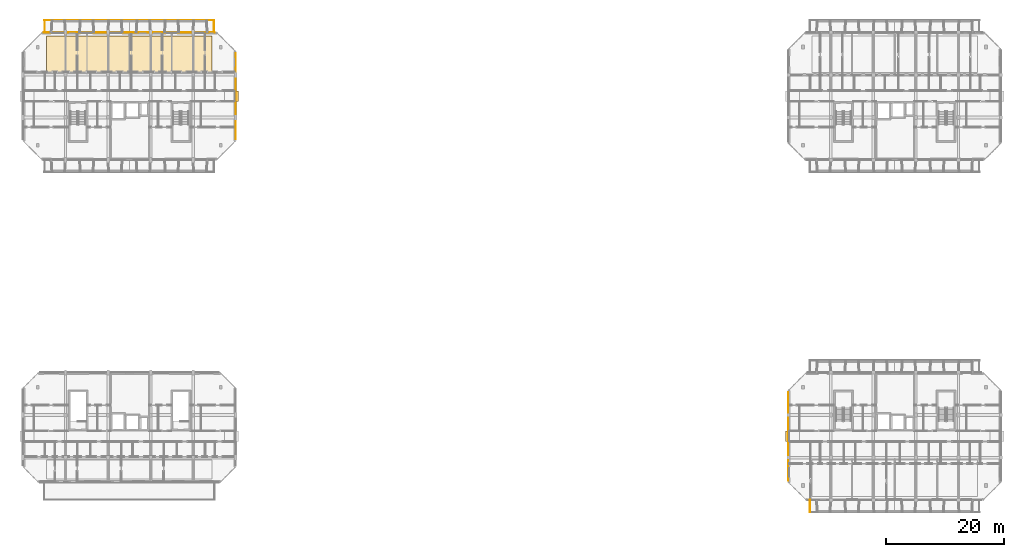
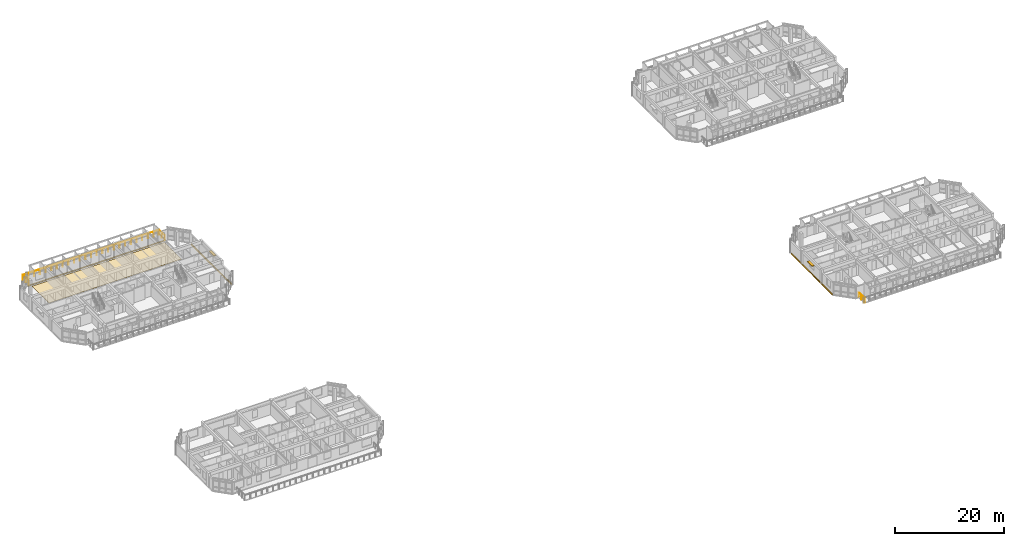
# One storey, part 35 of 40: 4 coverings, 4 railings, 2 shading devices.
"""IFC4 building model written with IfcOpenShell, lengths in metres."""

import ifcopenshell
import ifcopenshell.guid

model = None  # the IFC model being written
_history = None  # IfcOwnerHistory: only IFC2X3 demands one
_inside = {}  # id of a spatial element -> (the spatial element, [elements in it])
_under = {}  # id of a project, library or spatial element -> (it, [spatial elements below it])
_declared = {}  # id of a project -> (the project, [libraries it declares])
_typed = {}  # id of a type object -> (the type object, [elements of that type])
_made_of = {}  # id of a material, layer set ... -> (it, [elements and type objects made of it])


def new_model(schema):
    """Start an empty IFC model of exactly this schema.

    Asked for "IFC4X3", IfcOpenShell would pick the latest addendum, in which some entities
    have other attributes; the version numbers below select the first issue.
    IFC2X3 requires an IfcOwnerHistory on every rooted entity: one is made here for all.
    """
    global model, _history
    if schema == "IFC4X3":
        model = ifcopenshell.file(schema_version=(4, 3, 0, 0))
    else:
        model = ifcopenshell.file(schema=schema)
    _inside.clear()
    _under.clear()
    _declared.clear()
    _typed.clear()
    _made_of.clear()
    _history = None
    if model.schema == "IFC2X3":
        org = make("IfcOrganization", Name="unknown")
        user = make(
            "IfcPersonAndOrganization",
            ThePerson=make("IfcPerson", FamilyName="unknown"),
            TheOrganization=org,
        )
        app = make(
            "IfcApplication",
            ApplicationDeveloper=org,
            Version="unknown",
            ApplicationFullName="unknown",
            ApplicationIdentifier="unknown",
        )
        _history = make(
            "IfcOwnerHistory",
            OwningUser=user,
            OwningApplication=app,
            ChangeAction="ADDED",
            CreationDate=0,
        )
    return model


def make(cls, **values):
    """One entity of the class cls with the attributes given. An attribute that is None is left unset."""
    return model.create_entity(
        cls, **{name: value for name, value in values.items() if value is not None}
    )


def rooted(cls, **values):
    """An entity with a GlobalId (a new one), such as an element, a storey or a relation."""
    return make(cls, GlobalId=ifcopenshell.guid.new(), OwnerHistory=_history, **values)


def si_unit(unit_type, name, prefix=None):
    """IfcSIUnit, for example si_unit("LENGTHUNIT", "METRE", prefix="MILLI")."""
    return make("IfcSIUnit", UnitType=unit_type, Prefix=prefix, Name=name)


def assignment(units):
    """IfcUnitAssignment: the units of a project."""
    return None if units is None else make("IfcUnitAssignment", Units=units)


def point(xyz):
    """IfcCartesianPoint."""
    return None if xyz is None else make("IfcCartesianPoint", Coordinates=xyz)


def direction(xyz):
    """IfcDirection."""
    return None if xyz is None else make("IfcDirection", DirectionRatios=xyz)


def frame(location, z_axis=None, x_axis=None):
    """IfcAxis2Placement3D, a coordinate frame: its origin and axes. An axis left out is left unset."""
    return make(
        "IfcAxis2Placement3D",
        Location=point(location),
        Axis=direction(z_axis),
        RefDirection=direction(x_axis),
    )


def frame_2d(location, x_axis=None):
    """IfcAxis2Placement2D, a coordinate frame in the plane: its origin and x axis."""
    return make(
        "IfcAxis2Placement2D", Location=point(location), RefDirection=direction(x_axis)
    )


def origin():
    """The frame at (0, 0, 0) with its axes left unset."""
    return frame((0.0, 0.0, 0.0))


def origin_2d():
    """The frame at (0, 0) in the plane with its x axis left unset."""
    return frame_2d((0.0, 0.0))


def place(relative_to, where):
    """IfcLocalPlacement: puts the frame where relative to a parent placement (None: the world)."""
    return make(
        "IfcLocalPlacement", PlacementRelTo=relative_to, RelativePlacement=where
    )


def context(
    kind, dimensions, precision=None, world=None, true_north=None, identifier=None
):
    """IfcGeometricRepresentationContext, for example the 3D "Model" context."""
    return make(
        "IfcGeometricRepresentationContext",
        ContextIdentifier=identifier,
        ContextType=kind,
        CoordinateSpaceDimension=dimensions,
        Precision=precision,
        WorldCoordinateSystem=world,
        TrueNorth=true_north,
    )


def subcontext(parent, identifier, kind, view, scale=None):
    """IfcGeometricRepresentationSubContext, for example "Body" below "Model"."""
    return make(
        "IfcGeometricRepresentationSubContext",
        ContextIdentifier=identifier,
        ContextType=kind,
        ParentContext=parent,
        TargetScale=scale,
        TargetView=view,
    )


def project(units=None, contexts=None):
    """IfcProject with its units and contexts."""
    return rooted(
        "IfcProject",
        Name="project",
        RepresentationContexts=contexts,
        UnitsInContext=assignment(units),
    )


def spatial(cls, under=None, at=None, **own):
    """A site, building, storey or space (cls), placed at a placement, below another one or the project."""
    s = rooted(cls, ObjectPlacement=at, **own)
    if under is not None:
        _under.setdefault(under.id(), (under, []))[1].append(s)
    return s


def polyline(points):
    """IfcPolyline through the points."""
    return make("IfcPolyline", Points=[point(p) for p in points])


def profile(cls, at=None, kind="AREA", **sizes):
    """A parametric profile (cls). Its sizes go by their IFC names, for example OverallWidth=200.0."""
    return make(cls, ProfileType=kind, Position=at, **sizes)


def rectangle(**sizes):
    """IfcRectangleProfileDef."""
    return profile("IfcRectangleProfileDef", **sizes)


def circle(**sizes):
    """IfcCircleProfileDef."""
    return profile("IfcCircleProfileDef", **sizes)


def outline(outer, holes=None, kind="AREA"):
    """IfcArbitraryClosedProfileDef: a profile drawn as a closed curve; with holes, ...WithVoids."""
    if holes is None:
        return make("IfcArbitraryClosedProfileDef", ProfileType=kind, OuterCurve=outer)
    return make(
        "IfcArbitraryProfileDefWithVoids",
        ProfileType=kind,
        OuterCurve=outer,
        InnerCurves=holes,
    )


def extrude(swept, where, along, depth):
    """IfcExtrudedAreaSolid: the profile swept, set in the frame where, extruded along a direction by depth."""
    return make(
        "IfcExtrudedAreaSolid",
        SweptArea=swept,
        Position=where,
        ExtrudedDirection=direction(along),
        Depth=depth,
    )


def shape(context_of_items, identifier, shape_type, items):
    """IfcShapeRepresentation: the items that make up one representation, for example the "Body"."""
    return make(
        "IfcShapeRepresentation",
        ContextOfItems=context_of_items,
        RepresentationIdentifier=identifier,
        RepresentationType=shape_type,
        Items=items,
    )


def material(Name=None, Category=None):
    """IfcMaterial."""
    return make("IfcMaterial", Name=Name, Category=Category)


def layer(
    of_material, thickness, ventilated=None, Name=None, Category=None, Priority=None
):
    """IfcMaterialLayer: one layer of a wall or slab, of a material (None: an air gap)."""
    return make(
        "IfcMaterialLayer",
        Material=of_material,
        LayerThickness=thickness,
        IsVentilated=ventilated,
        Name=Name,
        Category=Category,
        Priority=Priority,
    )


def layer_set(layers, Name=None):
    """IfcMaterialLayerSet."""
    return make("IfcMaterialLayerSet", MaterialLayers=layers, LayerSetName=Name)


def made_of(thing, what):
    """Note that an element or type object is made of a material, layer set ...; save() writes the relation."""
    if what is not None:
        _made_of.setdefault(what.id(), (what, []))[1].append(thing)
    return thing


def type_object(cls, material=None, **own):
    """A type object (cls), such as IfcWallType, which elements share."""
    return made_of(rooted(cls, **own), material)


def element(
    cls,
    number,
    at=None,
    inside=None,
    cuts=None,
    type_object=None,
    material=None,
    context=None,
    identifier="Body",
    shape_type=None,
    held_by="IfcProductDefinitionShape",
    body=None,
    shapes=None,
    **own,
):
    """One element of the class cls, such as IfcWall. Its Tag is "e" and its number.

    at: its placement. inside: the storey or other place that contains it. cuts: it is an
    opening in that element (IfcRelVoidsElement). A single representation is given by context,
    identifier, shape_type and body (its items); several are given by shapes. held_by: the class
    of the entity that holds the representations. save() writes the other relations.
    """
    e = rooted(cls, Tag="e%d" % number, ObjectPlacement=at, **own)
    if body is not None:
        shapes = [shape(context, identifier, shape_type, body)]
    if shapes is not None:
        e.Representation = make(held_by, Representations=shapes)
    if inside is not None:
        _inside.setdefault(inside.id(), (inside, []))[1].append(e)
    if cuts is not None:
        rooted(
            "IfcRelVoidsElement", RelatingBuildingElement=cuts, RelatedOpeningElement=e
        )
    if type_object is not None:
        _typed.setdefault(type_object.id(), (type_object, []))[1].append(e)
    return made_of(e, material)


def aggregate(whole, parts):
    """IfcRelAggregates: a whole, such as a stair, and the parts it consists of."""
    return rooted("IfcRelAggregates", RelatingObject=whole, RelatedObjects=parts)


def save(model, path):
    """Write the relations noted so far, then the file.

    IfcRelAggregates (storeys below a building ...), IfcRelContainedInSpatialStructure (elements
    in a storey), IfcRelDefinesByType, IfcRelAssociatesMaterial and IfcRelDeclares: one each for
    every whole, place, type object, material and project.
    """
    for whole, parts in _under.values():
        aggregate(whole, parts)
    for where, things in _inside.values():
        rooted(
            "IfcRelContainedInSpatialStructure",
            RelatedElements=things,
            RelatingStructure=where,
        )
    for kind, things in _typed.values():
        rooted("IfcRelDefinesByType", RelatedObjects=things, RelatingType=kind)
    for what, things in _made_of.values():
        rooted("IfcRelAssociatesMaterial", RelatedObjects=things, RelatingMaterial=what)
    for by, libraries in _declared.values():
        rooted("IfcRelDeclares", RelatingContext=by, RelatedDefinitions=libraries)
    model.write(path)


model = new_model("IFC4")

# Units and contexts
model_context = context("Model", 3, precision=1e-05, world=origin(), true_north=direction((0.0, 1.0)))
body_context = subcontext(model_context, "Body", "Model", "MODEL_VIEW")
ifc_project = project(units=[si_unit("LENGTHUNIT", "METRE"), si_unit("AREAUNIT", "SQUARE_METRE"), si_unit("VOLUMEUNIT", "CUBIC_METRE"), si_unit("PLANEANGLEUNIT", "RADIAN"), si_unit("MASSUNIT", "GRAM", prefix="KILO")], contexts=[model_context])

# Site, building, storey
site_placement = place(None, origin())
site = spatial("IfcSite", under=ifc_project, at=site_placement, CompositionType="ELEMENT")
building_placement = place(site_placement, origin())
building = spatial("IfcBuilding", under=site, at=building_placement, Name="Ochrevale Crest", CompositionType="ELEMENT")
storey_placement = place(building_placement, frame((0.0, 0.0, 27.60009765625)))
storey = spatial("IfcBuildingStorey", under=building, at=storey_placement, Name="L08", CompositionType="ELEMENT", Elevation=27.60009765625)

# Coverings
ifc_material_1 = material(Name="Glazed terracotta rainscreen tile", Category="masonry")
ifc_layer_1 = layer(ifc_material_1, 0.048095703125)
ifc_layer_set_1 = layer_set([ifc_layer_1], Name="Glazed terracotta rainscreen tile")
covering_type_1 = type_object("IfcCoveringType", Name="COV-CLAD-TER", PredefinedType="CLADDING", material=ifc_layer_set_1)
covering_1_placement = place(storey_placement, frame((36.014404296875, 82.800048828125, -0.26025390625), z_axis=(0.0, 0.0, 1.0), x_axis=(0.0, 1.0, 0.0)))
element("IfcCovering", 1, at=covering_1_placement, inside=storey, type_object=covering_type_1, Name="Block B L08 terracotta slab-edge spandrel cladding", PredefinedType="CLADDING", context=body_context, shape_type="SweptSolid", body=[
    extrude(rectangle(XDim=14.60009765625, YDim=0.06005859375, at=origin_2d()), origin(), (0.0, 0.0, 1.0), 0.280029296875),
])
covering_2_placement = place(storey_placement, frame((18.0, 93.612548828125, -0.26025390625), z_axis=(0.0, 0.0, 1.0), x_axis=(-1.0, 0.0, 0.0)))
element("IfcCovering", 2, at=covering_2_placement, inside=storey, type_object=covering_type_1, Name="Block B L08 terracotta slab-edge spandrel cladding", PredefinedType="CLADDING", context=body_context, shape_type="SweptSolid", body=[
    extrude(rectangle(XDim=29.0, YDim=0.06005859375, at=origin_2d()), origin(), (0.0, 0.0, 1.0), 0.280029296875),
])
covering_3_placement = place(storey_placement, frame((129.58544921875, 25.199951171875, -0.26025390625), z_axis=(0.0, 0.0, 1.0), x_axis=(0.0, -1.0, 0.0)))
element("IfcCovering", 3, at=covering_3_placement, inside=storey, type_object=covering_type_1, Name="Block C L08 terracotta slab-edge spandrel cladding", PredefinedType="CLADDING", context=body_context, shape_type="SweptSolid", body=[
    extrude(rectangle(XDim=15.0, YDim=0.06005859375, at=origin_2d()), origin(), (0.0, 0.0, 1.0), 0.280029296875),
])
ifc_material_2 = material(Name="Engineered spotted-gum hardwood flooring", Category="wood")
ifc_layer_2 = layer(ifc_material_2, 0.02001953125)
ifc_layer_set_2 = layer_set([ifc_layer_2], Name="Engineered spotted-gum hardwood flooring")
covering_type_2 = type_object("IfcCoveringType", Name="COV-FLR-TIM", PredefinedType="FLOORING", material=ifc_layer_set_2)
covering_4_placement = place(storey_placement, origin())
element("IfcCovering", 4, at=covering_4_placement, inside=storey, type_object=covering_type_2, Name="Block B L08 spotted-gum apartment flooring", PredefinedType="FLOORING", context=body_context, shape_type="SweptSolid", body=[
    extrude(outline(polyline([(4.0, 86.800048828125), (32.0, 86.800048828125), (32.0, 93.0), (4.0, 93.0), (4.0, 86.800048828125)])), origin(), (0.0, 0.0, 1.0), 0.02001953125),
])

# Railings
ifc_material_3 = material(Name="Galvanised steel", Category="steel")
railing_type = type_object("IfcRailingType", Name="RL-BAL-1100", PredefinedType="BALUSTRADE", material=ifc_material_3)
railing_1_placement = place(storey_placement, frame((3.60009765625, 95.639892578125, 0.0)))
element("IfcRailing", 5, at=railing_1_placement, inside=storey, type_object=railing_type, Name="Block B L08 N balcony front balustrade", PredefinedType="BALUSTRADE", context=body_context, shape_type="SweptSolid", body=[
    extrude(circle(Radius=0.02392578125, at=origin_2d()), frame((0.0, 0.0, 1.0859375), z_axis=(1.0, 0.0, 0.0), x_axis=(0.0, 1.0, 0.0)), (0.0, 0.0, 1.0), 28.7998046875),
    extrude(circle(Radius=0.02099609375, at=origin_2d()), origin(), (0.0, 0.0, 1.0), 1.06201171875),
    extrude(circle(Radius=0.02099609375, at=origin_2d()), frame((1.199951171875, 0.0, 0.0)), (0.0, 0.0, 1.0), 1.06201171875),
    extrude(circle(Radius=0.02099609375, at=origin_2d()), frame((2.39990234375, 0.0, 0.0)), (0.0, 0.0, 1.0), 1.06201171875),
    extrude(circle(Radius=0.02099609375, at=origin_2d()), frame((3.60009765625, 0.0, 0.0)), (0.0, 0.0, 1.0), 1.06201171875),
    extrude(circle(Radius=0.02099609375, at=origin_2d()), frame((4.800048828125, 0.0, 0.0)), (0.0, 0.0, 1.0), 1.06201171875),
    extrude(circle(Radius=0.02099609375, at=origin_2d()), frame((6.0, 0.0, 0.0)), (0.0, 0.0, 1.0), 1.06201171875),
    extrude(circle(Radius=0.02099609375, at=origin_2d()), frame((7.199951171875, 0.0, 0.0)), (0.0, 0.0, 1.0), 1.06201171875),
    extrude(circle(Radius=0.02099609375, at=origin_2d()), frame((8.39990234375, 0.0, 0.0)), (0.0, 0.0, 1.0), 1.06201171875),
    extrude(circle(Radius=0.02099609375, at=origin_2d()), frame((9.599853515625, 0.0, 0.0)), (0.0, 0.0, 1.0), 1.06201171875),
    extrude(circle(Radius=0.02099609375, at=origin_2d()), frame((10.7998046875, 0.0, 0.0)), (0.0, 0.0, 1.0), 1.06201171875),
    extrude(circle(Radius=0.02099609375, at=origin_2d()), frame((12.0, 0.0, 0.0)), (0.0, 0.0, 1.0), 1.06201171875),
    extrude(circle(Radius=0.02099609375, at=origin_2d()), frame((13.199951171875, 0.0, 0.0)), (0.0, 0.0, 1.0), 1.06201171875),
    extrude(circle(Radius=0.02099609375, at=origin_2d()), frame((14.39990234375, 0.0, 0.0)), (0.0, 0.0, 1.0), 1.06201171875),
    extrude(circle(Radius=0.02099609375, at=origin_2d()), frame((15.599853515625, 0.0, 0.0)), (0.0, 0.0, 1.0), 1.06201171875),
    extrude(circle(Radius=0.02099609375, at=origin_2d()), frame((16.7998046875, 0.0, 0.0)), (0.0, 0.0, 1.0), 1.06201171875),
    extrude(circle(Radius=0.02099609375, at=origin_2d()), frame((18.0, 0.0, 0.0)), (0.0, 0.0, 1.0), 1.06201171875),
    extrude(circle(Radius=0.02099609375, at=origin_2d()), frame((19.199951171875, 0.0, 0.0)), (0.0, 0.0, 1.0), 1.06201171875),
    extrude(circle(Radius=0.02099609375, at=origin_2d()), frame((20.39990234375, 0.0, 0.0)), (0.0, 0.0, 1.0), 1.06201171875),
    extrude(circle(Radius=0.02099609375, at=origin_2d()), frame((21.599853515625, 0.0, 0.0)), (0.0, 0.0, 1.0), 1.06201171875),
    extrude(circle(Radius=0.02099609375, at=origin_2d()), frame((22.7998046875, 0.0, 0.0)), (0.0, 0.0, 1.0), 1.06201171875),
    extrude(circle(Radius=0.02099609375, at=origin_2d()), frame((23.999755859375, 0.0, 0.0)), (0.0, 0.0, 1.0), 1.06201171875),
    extrude(circle(Radius=0.02099609375, at=origin_2d()), frame((25.19970703125, 0.0, 0.0)), (0.0, 0.0, 1.0), 1.06201171875),
    extrude(circle(Radius=0.02099609375, at=origin_2d()), frame((26.39990234375, 0.0, 0.0)), (0.0, 0.0, 1.0), 1.06201171875),
    extrude(circle(Radius=0.02099609375, at=origin_2d()), frame((27.599853515625, 0.0, 0.0)), (0.0, 0.0, 1.0), 1.06201171875),
    extrude(circle(Radius=0.02099609375, at=origin_2d()), frame((28.7998046875, 0.0, 0.0)), (0.0, 0.0, 1.0), 1.06201171875),
])
for number, where, name in (
    (6, (3.659912109375, 93.60009765625, 0.0), "Block B L08 N-W balcony side guard"),
    (7, (32.340087890625, 93.60009765625, 0.0), "Block B L08 N-E balcony side guard"),
):
    element("IfcRailing", number, at=place(storey_placement, frame(where)), inside=storey, type_object=railing_type, Name=name, PredefinedType="BALUSTRADE", context=body_context, shape_type="SweptSolid", body=[
        extrude(circle(Radius=0.02392578125, at=origin_2d()), frame((0.0, 0.0, 1.0859375), z_axis=(0.0, 1.0, 0.0), x_axis=(-1.0, 0.0, 0.0)), (0.0, 0.0, 1.0), 2.039794921875),
        extrude(circle(Radius=0.02099609375, at=origin_2d()), origin(), (0.0, 0.0, 1.0), 1.06201171875),
        extrude(circle(Radius=0.02099609375, at=origin_2d()), frame((0.0, 1.02001953125, 0.0)), (0.0, 0.0, 1.0), 1.06201171875),
        extrude(circle(Radius=0.02099609375, at=origin_2d()), frame((0.0, 2.039794921875, 0.0)), (0.0, 0.0, 1.0), 1.06201171875),
    ])
railing_2_placement = place(storey_placement, frame((133.260009765625, 14.39990234375, 0.0)))
element("IfcRailing", 8, at=railing_2_placement, inside=storey, type_object=railing_type, Name="Block C L08 S-W balcony side guard", PredefinedType="BALUSTRADE", context=body_context, shape_type="SweptSolid", body=[
    extrude(circle(Radius=0.02392578125, at=origin_2d()), frame((0.0, 0.0, 1.0859375), z_axis=(0.0, -1.0, 0.0), x_axis=(1.0, 0.0, 0.0)), (0.0, 0.0, 1.0), 2.039794921875),
    extrude(circle(Radius=0.02099609375, at=origin_2d()), origin(), (0.0, 0.0, 1.0), 1.06201171875),
    extrude(circle(Radius=0.02099609375, at=origin_2d()), frame((0.0, -1.02001953125, 0.0)), (0.0, 0.0, 1.0), 1.06201171875),
    extrude(circle(Radius=0.02099609375, at=origin_2d()), frame((0.0, -2.039794921875, 0.0)), (0.0, 0.0, 1.0), 1.06201171875),
])

# Shading devices
ifc_material_4 = material(Name="Anodised aluminium 6063-T5", Category="aluminium")
shading_device_type = type_object("IfcShadingDeviceType", Name="SHD-SUNSHADE-OC", PredefinedType="USERDEFINED", material=ifc_material_4)
for number, where, z_axis, x_axis, name in (
    (9, (36.239990234375, 82.800048828125, 2.2099609375), (0.0, 0.0, 1.0), (1.0, 0.0, 0.0), "Block B L08 gable window sunshade E"),
    (10, (129.360107421875, 25.199951171875, 2.2099609375), (0.0, 0.0, 1.0), (1.0, 0.0, 0.0), "Block C L08 gable window sunshade W"),
):
    element("IfcShadingDevice", number, at=place(storey_placement, frame(where, z_axis=z_axis, x_axis=x_axis)), inside=storey, type_object=shading_device_type, Name=name, ObjectType="HORIZONTAL SUNSHADE", PredefinedType="USERDEFINED", context=body_context, shape_type="SweptSolid", body=[
        extrude(rectangle(XDim=0.550048828125, YDim=1.800048828125, at=origin_2d()), origin(), (0.0, 0.0, 1.0), 0.139892578125),
    ])

save(model, "model.ifc")
